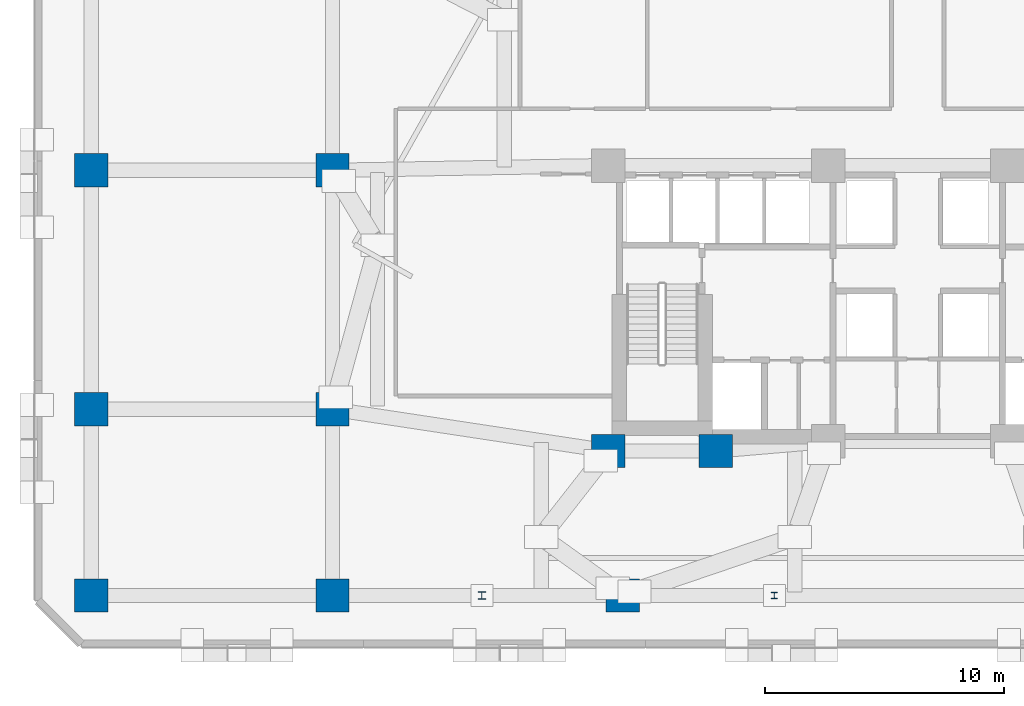
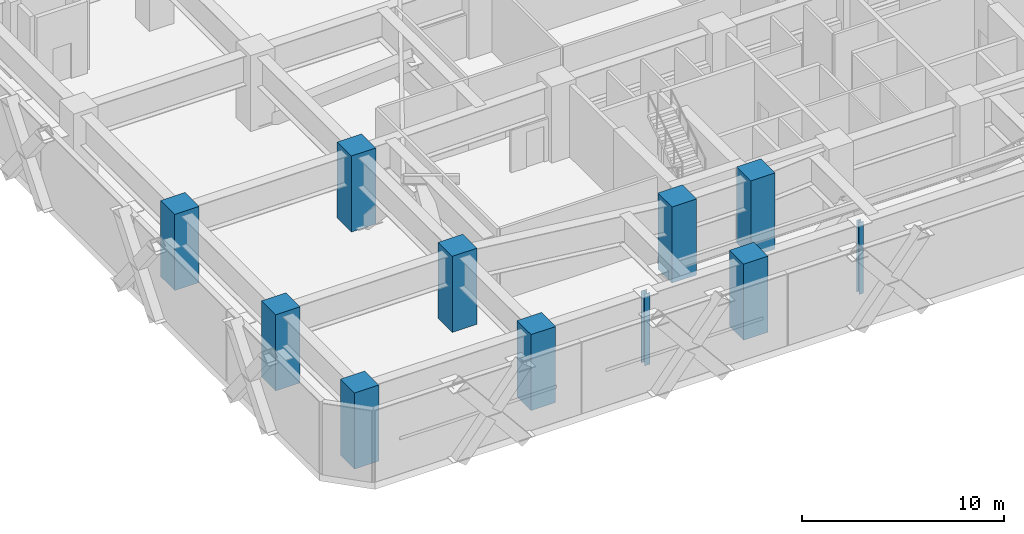
# One storey, part 1 of 14: 11 columns.
"""IFC4 building model written with IfcOpenShell, lengths in metres."""

from ifc_helpers import new_model, si_unit, direction, frame, origin, origin_2d, place, context, subcontext, project, spatial, rectangle, i_section, extrude, material, material_profile, profile_set, type_object, element, save


model = new_model("IFC4")

# Units and contexts
model_context = context("Model", 3, precision=1e-05, world=origin(), true_north=direction((0.0, 1.0)))
body_context = subcontext(model_context, "Body", "Model", "MODEL_VIEW")
ifc_project = project(units=[si_unit("LENGTHUNIT", "METRE"), si_unit("AREAUNIT", "SQUARE_METRE"), si_unit("VOLUMEUNIT", "CUBIC_METRE"), si_unit("PLANEANGLEUNIT", "RADIAN"), si_unit("MASSUNIT", "GRAM", prefix="KILO")], contexts=[model_context])

# Site, building, storey
site_placement = place(None, origin())
site = spatial("IfcSite", under=ifc_project, at=site_placement, CompositionType="ELEMENT")
building_placement = place(site_placement, origin())
building = spatial("IfcBuilding", under=site, at=building_placement, Name="Quenlor Broadcast Tower", CompositionType="ELEMENT")
storey_placement = place(building_placement, frame((0.0, 0.0, 23.0)))
storey = spatial("IfcBuildingStorey", under=building, at=storey_placement, Name="L05", CompositionType="ELEMENT", Elevation=23.0)

# Columns
ifc_material_1 = material(Name="Concrete C65/80", Category="concrete")
ifc_material_profile_1 = material_profile(ifc_material_1, rectangle(XDim=1.39990234375, YDim=1.39990234375, at=origin_2d()))
ifc_profile_set_1 = profile_set([ifc_material_profile_1], Name="Concrete C65/80 RC1400x1400")
column_type_1 = type_object("IfcColumnType", Name="Core Corner Column Lower Concrete C65/80 1400", PredefinedType="COLUMN", material=ifc_profile_set_1)
for number, where, z_axis, x_axis, name in (
    (1, (-12.949951171875, -16.75, 0.0), (0.0, 0.0, 1.0), (1.0, 0.0, 0.0), "L05 Core Column CC1"),
    (2, (-8.449951171875, -16.75, 0.0), (0.0, 0.0, 1.0), (1.0, 0.0, 0.0), "L05 Core Column CC2"),
):
    element("IfcColumn", number, at=place(storey_placement, frame(where, z_axis=z_axis, x_axis=x_axis)), inside=storey, type_object=column_type_1, Name=name, PredefinedType="COLUMN", context=body_context, shape_type="SweptSolid", body=[
        extrude(rectangle(XDim=1.39990234375, YDim=1.39990234375, at=origin_2d()), origin(), (0.0, 0.0, 1.0), 4.60009765625),
    ])
ifc_material_2 = material(Name="Steel S355", Category="steel")
ifc_material_profile_2 = material_profile(ifc_material_2, i_section(OverallWidth=0.256103515625, OverallDepth=0.260009765625, WebThickness=0.010498046875, FlangeThickness=0.017333984375, FilletRadius=0.013916015625, at=origin_2d()))
ifc_profile_set_2 = profile_set([ifc_material_profile_2], Name="Steel S355 250UC89.5")
column_type_2 = type_object("IfcColumnType", Name="Podium Gallery Post Steel S355 250UC89.5", PredefinedType="COLUMN", material=ifc_profile_set_2)
column_1_placement = place(storey_placement, frame((-6.0, -22.800048828125, 0.0), z_axis=(0.0, 0.0, 1.0), x_axis=(1.0, 0.0, 0.0)))
element("IfcColumn", 3, at=column_1_placement, inside=storey, type_object=column_type_2, Name="L05 Station Steel Column SPW2", PredefinedType="COLUMN", context=body_context, shape_type="SweptSolid", body=[
    extrude(i_section(OverallWidth=0.256103515625, OverallDepth=0.260009765625, WebThickness=0.010498046875, FlangeThickness=0.017333984375, FilletRadius=0.013916015625, at=origin_2d()), origin(), (0.0, 0.0, 1.0), 4.340087890625),
])
ifc_material_3 = material(Name="Concrete C65/80", Category="concrete")
ifc_material_profile_3 = material_profile(ifc_material_3, rectangle(XDim=1.39990234375, YDim=1.39990234375, at=origin_2d()))
ifc_profile_set_3 = profile_set([ifc_material_profile_3], Name="Concrete C65/80 RC1400x1400")
column_type_3 = type_object("IfcColumnType", Name="Podium Mega Column Concrete C65/80 1400", PredefinedType="COLUMN", material=ifc_profile_set_3)
for number, where, z_axis, x_axis, name in (
    (4, (-34.60009765625, -22.800048828125, 0.0), (0.0, 0.0, 1.0), (1.0, 0.0, 0.0), "L05 Podium Mega Column PM1"),
    (5, (-24.5, -22.800048828125, 0.0), (0.0, 0.0, 1.0), (1.0, 0.0, 0.0), "L05 Podium Mega Column PM2"),
    (6, (-12.35009765625, -22.800048828125, 0.0), (0.0, 0.0, 1.0), (1.0, 0.0, 0.0), "L05 Podium Mega Column PM3"),
    (7, (-34.60009765625, -15.0, 0.0), (0.0, 0.0, 1.0), (1.0, 0.0, 0.0), "L05 Podium Mega Column PM7"),
    (8, (-24.5, -15.0, 0.0), (0.0, 0.0, 1.0), (1.0, 0.0, 0.0), "L05 Podium Mega Column PM8"),
    (9, (-34.60009765625, -5.0, 0.0), (0.0, 0.0, 1.0), (1.0, 0.0, 0.0), "L05 Podium Mega Column PM11"),
    (10, (-24.5, -5.0, 0.0), (0.0, 0.0, 1.0), (1.0, 0.0, 0.0), "L05 Podium Mega Column PM12"),
):
    element("IfcColumn", number, at=place(storey_placement, frame(where, z_axis=z_axis, x_axis=x_axis)), inside=storey, type_object=column_type_3, Name=name, PredefinedType="COLUMN", context=body_context, shape_type="SweptSolid", body=[
        extrude(rectangle(XDim=1.39990234375, YDim=1.39990234375, at=origin_2d()), origin(), (0.0, 0.0, 1.0), 4.60009765625),
    ])
ifc_material_4 = material(Name="Steel S355", Category="steel")
ifc_material_profile_4 = material_profile(ifc_material_4, i_section(OverallWidth=0.31103515625, OverallDepth=0.3271484375, WebThickness=0.015625, FlangeThickness=0.02490234375, FilletRadius=0.0166015625, at=origin_2d()))
ifc_profile_set_4 = profile_set([ifc_material_profile_4], Name="Steel S355 310UC158")
column_type_4 = type_object("IfcColumnType", Name="Podium Trim Post Steel S355 310UC158", PredefinedType="COLUMN", material=ifc_profile_set_4)
column_2_placement = place(storey_placement, frame((-18.25, -22.800048828125, 0.0), z_axis=(0.0, 0.0, 1.0), x_axis=(1.0, 0.0, 0.0)))
element("IfcColumn", 11, at=column_2_placement, inside=storey, type_object=column_type_4, Name="L05 Station Steel Column SPW1", PredefinedType="COLUMN", context=body_context, shape_type="SweptSolid", body=[
    extrude(i_section(OverallWidth=0.31103515625, OverallDepth=0.3271484375, WebThickness=0.015625, FlangeThickness=0.02490234375, FilletRadius=0.0166015625, at=origin_2d()), origin(), (0.0, 0.0, 1.0), 4.340087890625),
])

save(model, "model.ifc")
